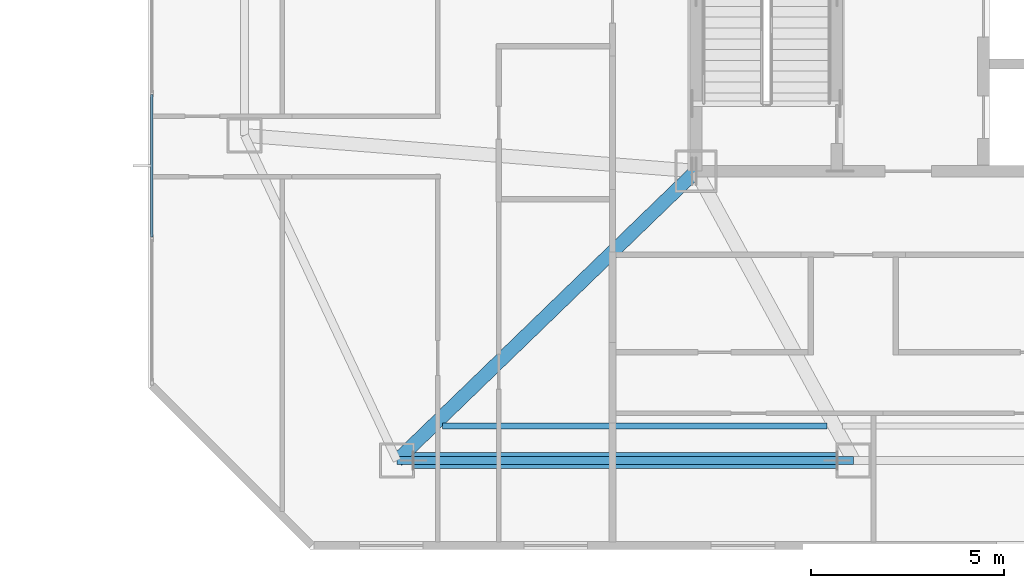
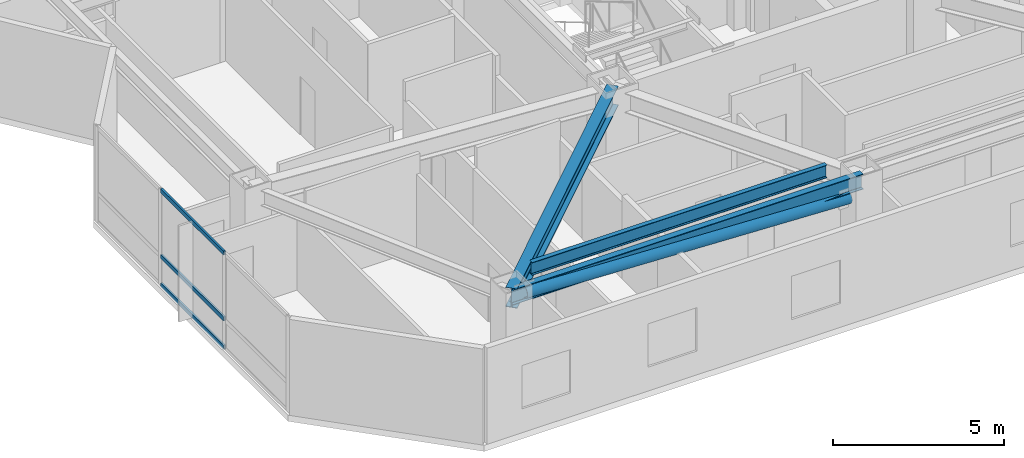
# One storey, part 3 of 17: 4 members, 3 beams, 1 element without a shape of its own.
"""IFC4 building model written with IfcOpenShell, lengths in metres."""

from ifc_helpers import new_model, si_unit, direction, frame, origin, origin_2d, place, context, subcontext, project, spatial, hollow_rectangle, hollow_circle, i_section, extrude, material, material_profile, profile_set, type_object, element, aggregate, save


model = new_model("IFC4")

# Units and contexts
model_context = context("Model", 3, precision=1e-05, world=origin(), true_north=direction((0.0, 1.0)))
body_context = subcontext(model_context, "Body", "Model", "MODEL_VIEW")
ifc_project = project(units=[si_unit("LENGTHUNIT", "METRE"), si_unit("AREAUNIT", "SQUARE_METRE"), si_unit("VOLUMEUNIT", "CUBIC_METRE"), si_unit("PLANEANGLEUNIT", "RADIAN"), si_unit("MASSUNIT", "GRAM", prefix="KILO")], contexts=[model_context])

# Site, building, storey
site_placement = place(None, origin())
site = spatial("IfcSite", under=ifc_project, at=site_placement, CompositionType="ELEMENT")
building_placement = place(site_placement, origin())
building = spatial("IfcBuilding", under=site, at=building_placement, Name="Khamvora Tower", CompositionType="ELEMENT")
storey_placement = place(building_placement, frame((0.0, 0.0, 192.39990234375)))
storey = spatial("IfcBuildingStorey", under=building, at=storey_placement, Name="L49", CompositionType="ELEMENT", Elevation=192.39990234375)

# Beams
ifc_material_1 = material(Name="Steel S355", Category="steel")
ifc_material_profile_1 = material_profile(ifc_material_1, i_section(OverallWidth=0.154052734375, OverallDepth=0.458984375, WebThickness=0.009033203125, FlangeThickness=0.014892578125, FilletRadius=0.011962890625, at=origin_2d()), Name="W460x68")
ifc_profile_set_1 = profile_set([ifc_material_profile_1], Name="Steel S355")
beam_type_1 = type_object("IfcBeamType", Name="BM-JS-W460x68", PredefinedType="JOIST", material=ifc_profile_set_1)
beam_1_placement = place(storey_placement, frame((22.429931640625, 12.39990234375, 3.201171875), z_axis=(1.0, 0.0, 0.0), x_axis=(0.0, 1.0, 0.0)))
element("IfcBeam", 1, at=beam_1_placement, inside=storey, type_object=beam_type_1, Name="L49 secondary floor joist 01", PredefinedType="JOIST", context=body_context, shape_type="SweptSolid", body=[
    extrude(i_section(OverallWidth=0.154052734375, OverallDepth=0.458984375, WebThickness=0.009033203125, FlangeThickness=0.014892578125, FilletRadius=0.011962890625, at=origin_2d()), origin(), (0.0, 0.0, 1.0), 9.966064453125),
])
ifc_material_profile_2 = material_profile(ifc_material_1, i_section(OverallWidth=0.35498046875, OverallDepth=0.695068359375, WebThickness=0.014892578125, FlangeThickness=0.02490234375, FilletRadius=0.01611328125, at=origin_2d()), Name="W690x217")
ifc_profile_set_2 = profile_set([ifc_material_profile_2], Name="Steel S355")
beam_type_2 = type_object("IfcBeamType", Name="BM-PG-W690x217", PredefinedType="BEAM", material=ifc_profile_set_2)
beam_2_placement = place(storey_placement, frame((29.0, 19.0, 3.0830078125), z_axis=(-0.718602141767, -0.695421427516, 0.0), x_axis=(0.695421427516, -0.718602141767, 0.0)))
element("IfcBeam", 2, at=beam_2_placement, inside=storey, type_object=beam_type_2, Name="L49 primary floor girder S1", PredefinedType="BEAM", context=body_context, shape_type="SweptSolid", body=[
    extrude(i_section(OverallWidth=0.35498046875, OverallDepth=0.695068359375, WebThickness=0.014892578125, FlangeThickness=0.02490234375, FilletRadius=0.01611328125, at=origin_2d()), origin(), (0.0, 0.0, 1.0), 10.784912109375),
])
ifc_material_profile_3 = material_profile(ifc_material_1, i_section(OverallWidth=0.2119140625, OverallDepth=0.5439453125, WebThickness=0.012939453125, FlangeThickness=0.02099609375, FilletRadius=0.013916015625, at=origin_2d()), Name="W530x123")
ifc_profile_set_3 = profile_set([ifc_material_profile_3], Name="Steel S355")
beam_type_3 = type_object("IfcBeamType", Name="BM-SP-W530x123", PredefinedType="SPANDREL", material=ifc_profile_set_3)
beam_3_placement = place(storey_placement, frame((21.25, 11.5, 3.158203125), z_axis=(1.0, 0.0, 0.0), x_axis=(0.0, 1.0, 0.0)))
element("IfcBeam", 3, at=beam_3_placement, inside=storey, type_object=beam_type_3, Name="L49 perimeter spandrel beam S1-S2", PredefinedType="SPANDREL", context=body_context, shape_type="SweptSolid", body=[
    extrude(i_section(OverallWidth=0.2119140625, OverallDepth=0.5439453125, WebThickness=0.012939453125, FlangeThickness=0.02099609375, FilletRadius=0.013916015625, at=origin_2d()), origin(), (0.0, 0.0, 1.0), 11.8330078125),
])

# Curtain wall, members
ifc_material_2 = material(Name="Anodised Aluminium 6063-T6", Category="aluminium")
curtain_wall_type = type_object("IfcCurtainWallType", Name="CW-SYS-04", PredefinedType="NOTDEFINED", material=ifc_material_2)
curtain_wall_placement = place(storey_placement, origin())
curtain_wall = element("IfcCurtainWall", 4, at=curtain_wall_placement, inside=storey, type_object=curtain_wall_type, Name="L49 stick curtain wall 02.1", PredefinedType="NOTDEFINED")
ifc_material_profile_4 = material_profile(ifc_material_2, hollow_rectangle(XDim=0.06494140625, YDim=0.14990234375, WallThickness=0.0048828125, at=origin_2d()), Name="TRN65x150x5")
ifc_profile_set_4 = profile_set([ifc_material_profile_4], Name="Anodised Aluminium 6063-T6")
member_type_1 = type_object("IfcMemberType", Name="CW-SYS-04-TRN", PredefinedType="USERDEFINED", material=ifc_profile_set_4)
member_1_placement = place(storey_placement, frame((14.89990234375, 17.290771484375, 0.03271484375), z_axis=(0.0, 1.0, 0.0), x_axis=(-1.0, 0.0, 0.0)))
member_1 = element("IfcMember", 5, at=member_1_placement, type_object=member_type_1, Name="CW-04 transom 2.1", ObjectType="TRANSOM", PredefinedType="USERDEFINED", context=body_context, shape_type="SweptSolid", body=[
    extrude(hollow_rectangle(XDim=0.06494140625, YDim=0.14990234375, WallThickness=0.0048828125, at=origin_2d()), origin(), (0.0, 0.0, 1.0), 3.689453125),
])
member_2_placement = place(storey_placement, frame((14.89990234375, 17.290771484375, 1.050048828125), z_axis=(0.0, 1.0, 0.0), x_axis=(-1.0, 0.0, 0.0)))
member_2 = element("IfcMember", 6, at=member_2_placement, type_object=member_type_1, Name="CW-04 transom 2.2", ObjectType="TRANSOM", PredefinedType="USERDEFINED", context=body_context, shape_type="SweptSolid", body=[
    extrude(hollow_rectangle(XDim=0.06494140625, YDim=0.14990234375, WallThickness=0.0048828125, at=origin_2d()), origin(), (0.0, 0.0, 1.0), 3.689453125),
])
member_3_placement = place(storey_placement, frame((14.89990234375, 17.290771484375, 3.397705078125), z_axis=(0.0, 1.0, 0.0), x_axis=(-1.0, 0.0, 0.0)))
member_3 = element("IfcMember", 7, at=member_3_placement, type_object=member_type_1, Name="CW-04 transom 2.3", ObjectType="TRANSOM", PredefinedType="USERDEFINED", context=body_context, shape_type="SweptSolid", body=[
    extrude(hollow_rectangle(XDim=0.06494140625, YDim=0.14990234375, WallThickness=0.0048828125, at=origin_2d()), origin(), (0.0, 0.0, 1.0), 3.689453125),
])
aggregate(curtain_wall, [member_1, member_2, member_3])

# Member
ifc_material_profile_5 = material_profile(ifc_material_1, hollow_circle(Radius=0.202880859375, WallThickness=0.01611328125, at=origin_2d()), Name="CHS406x16")
ifc_profile_set_5 = profile_set([ifc_material_profile_5], Name="Steel S355")
member_type_2 = type_object("IfcMemberType", Name="MEM-BR-CHS406", PredefinedType="BRACE", material=ifc_profile_set_5)
member_4_placement = place(storey_placement, frame((32.653076171875, 11.5, 2.697998046875), z_axis=(-0.999174860809, 0.0, 0.040615237634), x_axis=(0.0, -1.0, 0.0)))
element("IfcMember", 8, at=member_4_placement, inside=storey, type_object=member_type_2, Name="L49 perimeter wind brace 1", PredefinedType="BRACE", context=body_context, shape_type="SweptSolid", body=[
    extrude(hollow_circle(Radius=0.202880859375, WallThickness=0.01611328125, at=origin_2d()), origin(), (0.0, 0.0, 1.0), 10.982177734375),
])

save(model, "model.ifc")
